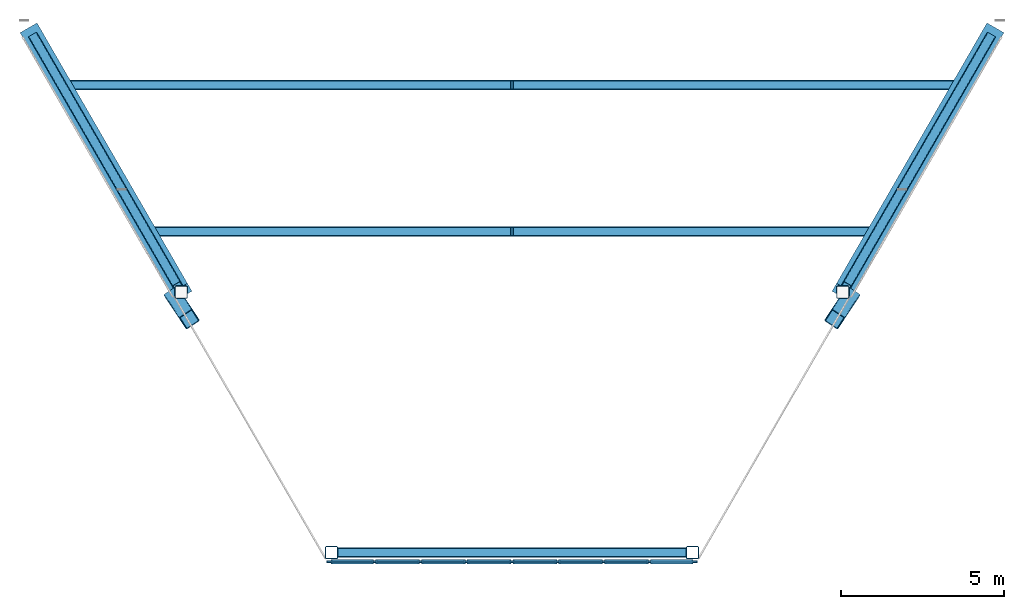
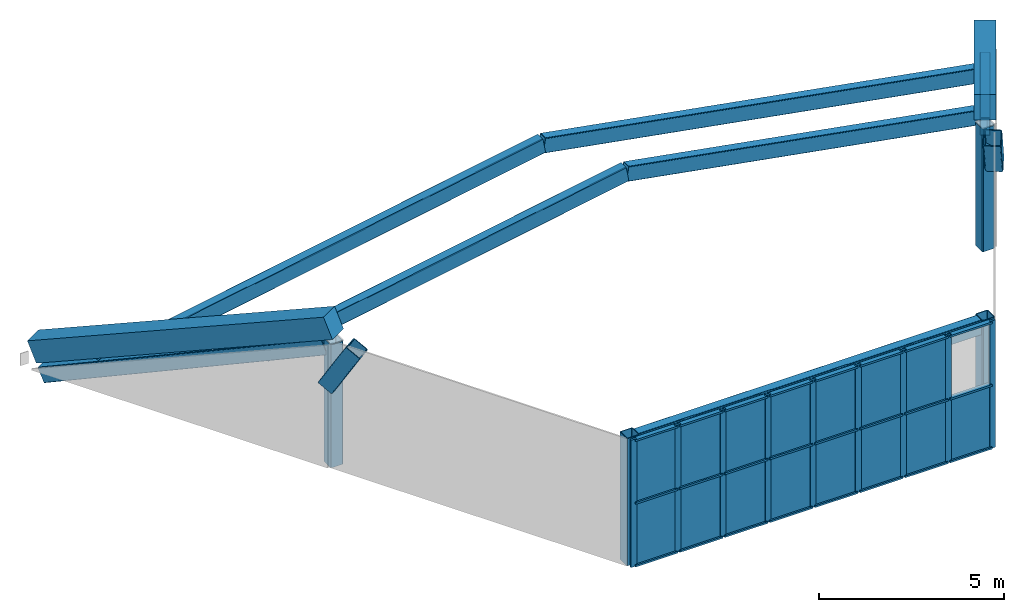
# One storey, part 1 of 4: 41 members, 15 plates, 4 columns, 3 beams, 1 element without a shape of its own.
"""IFC4 building model written with IfcOpenShell, lengths in metres."""

from ifc_helpers import new_model, si_unit, direction, frame, origin, origin_2d, place, context, subcontext, project, spatial, rectangle, hollow_rectangle, extrude, material, layer, layer_set, material_profile, profile_set, type_object, element, aggregate, save


model = new_model("IFC4")

# Units and contexts
model_context = context("Model", 3, precision=1e-05, world=origin(), true_north=direction((0.0, 1.0)))
body_context = subcontext(model_context, "Body", "Model", "MODEL_VIEW")
ifc_project = project(units=[si_unit("LENGTHUNIT", "METRE"), si_unit("AREAUNIT", "SQUARE_METRE"), si_unit("VOLUMEUNIT", "CUBIC_METRE"), si_unit("PLANEANGLEUNIT", "RADIAN"), si_unit("MASSUNIT", "GRAM", prefix="KILO")], contexts=[model_context])

# Site, building, storey
site_placement = place(None, origin())
site = spatial("IfcSite", under=ifc_project, at=site_placement, CompositionType="ELEMENT")
building_placement = place(site_placement, origin())
building = spatial("IfcBuilding", under=site, at=building_placement, Name="Aloe Facet Convention Tower", CompositionType="ELEMENT")
storey_placement = place(building_placement, frame((0.0, 0.0, 298.10009765625)))
storey = spatial("IfcBuildingStorey", under=building, at=storey_placement, Name="C4", CompositionType="ELEMENT", Elevation=298.10009765625)

# Columns
ifc_material_1 = material(Name="Steel S355, bronze oxide finish", Category="steel")
ifc_material_profile_1 = material_profile(ifc_material_1, hollow_rectangle(XDim=0.39990234375, YDim=0.39990234375, WallThickness=0.02490234375, InnerFilletRadius=0.02490234375, OuterFilletRadius=0.050048828125, at=origin_2d()), Name="SHS 400x400x25")
ifc_profile_set_1 = profile_set([ifc_material_profile_1], Name="Steel S355, bronze oxide finish")
column_type = type_object("IfcColumnType", Name="STW-CROWN FRAME POST", PredefinedType="COLUMN", material=ifc_profile_set_1)
column_1_placement = place(storey_placement, frame((69.830078125, 117.185302734375, 0.0), z_axis=(0.0, 0.0, 1.0), x_axis=(1.0, 0.0, 0.0)))
element("IfcColumn", 1, at=column_1_placement, inside=storey, type_object=column_type, Name="Crown frame post CF-P-WSW3-C4", PredefinedType="COLUMN", context=body_context, shape_type="SweptSolid", body=[
    extrude(hollow_rectangle(XDim=0.39990234375, YDim=0.39990234375, WallThickness=0.02490234375, InnerFilletRadius=0.02490234375, OuterFilletRadius=0.050048828125, at=origin_2d()), origin(), (0.0, 0.0, 1.0), 4.05859375),
])
for number, where, z_axis, x_axis, name in (
    (2, (74.45166015625, 109.180419921875, 0.0), (0.0, 0.0, 1.0), (1.0, 0.0, 0.0), "Crown frame post CF-P-WSW4-C4"),
    (3, (85.54833984375, 109.180419921875, 0.0), (0.0, 0.0, 1.0), (1.0, 0.0, 0.0), "Crown frame post CF-P-ESE2-C4"),
):
    element("IfcColumn", number, at=place(storey_placement, frame(where, z_axis=z_axis, x_axis=x_axis)), inside=storey, type_object=column_type, Name=name, PredefinedType="COLUMN", context=body_context, shape_type="SweptSolid", body=[
        extrude(hollow_rectangle(XDim=0.39990234375, YDim=0.39990234375, WallThickness=0.02490234375, InnerFilletRadius=0.02490234375, OuterFilletRadius=0.050048828125, at=origin_2d()), origin(), (0.0, 0.0, 1.0), 4.199951171875),
    ])
column_2_placement = place(storey_placement, frame((90.169921875, 117.185302734375, 0.0), z_axis=(0.0, 0.0, 1.0), x_axis=(1.0, 0.0, 0.0)))
element("IfcColumn", 4, at=column_2_placement, inside=storey, type_object=column_type, Name="Crown frame post CF-P-ESE3-C4", PredefinedType="COLUMN", context=body_context, shape_type="SweptSolid", body=[
    extrude(hollow_rectangle(XDim=0.39990234375, YDim=0.39990234375, WallThickness=0.02490234375, InnerFilletRadius=0.02490234375, OuterFilletRadius=0.050048828125, at=origin_2d()), origin(), (0.0, 0.0, 1.0), 4.05859375),
])

# Curtain wall, members
ifc_material_2 = material(Name="Aluminium, anodised", Category="aluminium")
curtain_wall_type = type_object("IfcCurtainWallType", Name="EV-CW-CROWN", PredefinedType="USERDEFINED", material=ifc_material_2)
curtain_wall_placement = place(storey_placement, origin())
curtain_wall = element("IfcCurtainWall", 5, at=curtain_wall_placement, inside=storey, type_object=curtain_wall_type, Name="CW-C4-Z09", ObjectType="CROWN SCREEN GLAZING", PredefinedType="USERDEFINED")
ifc_material_3 = material(Name="Aluminium, anodised", Category="aluminium")
ifc_material_profile_2 = material_profile(ifc_material_3, rectangle(XDim=0.06005859375, YDim=0.179931640625, at=origin_2d()), Name="AL 60x180")
ifc_profile_set_2 = profile_set([ifc_material_profile_2], Name="Aluminium, anodised")
member_type_1 = type_object("IfcMemberType", Name="EV-MULL-CROWN", PredefinedType="MULLION", material=ifc_profile_set_2)
member_1_placement = place(storey_placement, frame((74.401611328125, 108.890625, 0.0), z_axis=(0.0, 0.0, 1.0), x_axis=(0.0, 1.0, 0.0)))
member_1 = element("IfcMember", 6, at=member_1_placement, type_object=member_type_1, Name="CW-C4-Z09 mullion 1", PredefinedType="MULLION", context=body_context, shape_type="SweptSolid", body=[
    extrude(rectangle(XDim=0.06005859375, YDim=0.179931640625, at=origin_2d()), origin(), (0.0, 0.0, 1.0), 4.199951171875),
])
member_2_placement = place(storey_placement, frame((75.77880859375, 108.890625, 0.0), z_axis=(0.0, 0.0, 1.0), x_axis=(0.0, 1.0, 0.0)))
member_2 = element("IfcMember", 7, at=member_2_placement, type_object=member_type_1, Name="CW-C4-Z09 mullion 2", PredefinedType="MULLION", context=body_context, shape_type="SweptSolid", body=[
    extrude(rectangle(XDim=0.06005859375, YDim=0.179931640625, at=origin_2d()), origin(), (0.0, 0.0, 1.0), 4.199951171875),
])
member_3_placement = place(storey_placement, frame((77.185791015625, 108.890625, 0.0), z_axis=(0.0, 0.0, 1.0), x_axis=(0.0, 1.0, 0.0)))
member_3 = element("IfcMember", 8, at=member_3_placement, type_object=member_type_1, Name="CW-C4-Z09 mullion 3", PredefinedType="MULLION", context=body_context, shape_type="SweptSolid", body=[
    extrude(rectangle(XDim=0.06005859375, YDim=0.179931640625, at=origin_2d()), origin(), (0.0, 0.0, 1.0), 4.199951171875),
])
member_4_placement = place(storey_placement, frame((78.593017578125, 108.890625, 0.0), z_axis=(0.0, 0.0, 1.0), x_axis=(0.0, 1.0, 0.0)))
member_4 = element("IfcMember", 9, at=member_4_placement, type_object=member_type_1, Name="CW-C4-Z09 mullion 4", PredefinedType="MULLION", context=body_context, shape_type="SweptSolid", body=[
    extrude(rectangle(XDim=0.06005859375, YDim=0.179931640625, at=origin_2d()), origin(), (0.0, 0.0, 1.0), 4.199951171875),
])
member_5_placement = place(storey_placement, frame((80.0, 108.890625, 0.0), z_axis=(0.0, 0.0, 1.0), x_axis=(0.0, 1.0, 0.0)))
member_5 = element("IfcMember", 10, at=member_5_placement, type_object=member_type_1, Name="CW-C4-Z09 mullion 5", PredefinedType="MULLION", context=body_context, shape_type="SweptSolid", body=[
    extrude(rectangle(XDim=0.06005859375, YDim=0.179931640625, at=origin_2d()), origin(), (0.0, 0.0, 1.0), 4.199951171875),
])
member_6_placement = place(storey_placement, frame((81.406982421875, 108.890625, 0.0), z_axis=(0.0, 0.0, 1.0), x_axis=(0.0, 1.0, 0.0)))
member_6 = element("IfcMember", 11, at=member_6_placement, type_object=member_type_1, Name="CW-C4-Z09 mullion 6", PredefinedType="MULLION", context=body_context, shape_type="SweptSolid", body=[
    extrude(rectangle(XDim=0.06005859375, YDim=0.179931640625, at=origin_2d()), origin(), (0.0, 0.0, 1.0), 4.199951171875),
])
member_7_placement = place(storey_placement, frame((82.814208984375, 108.890625, 0.0), z_axis=(0.0, 0.0, 1.0), x_axis=(0.0, 1.0, 0.0)))
member_7 = element("IfcMember", 12, at=member_7_placement, type_object=member_type_1, Name="CW-C4-Z09 mullion 7", PredefinedType="MULLION", context=body_context, shape_type="SweptSolid", body=[
    extrude(rectangle(XDim=0.06005859375, YDim=0.179931640625, at=origin_2d()), origin(), (0.0, 0.0, 1.0), 4.199951171875),
])
member_8_placement = place(storey_placement, frame((84.22119140625, 108.890625, 0.0), z_axis=(0.0, 0.0, 1.0), x_axis=(0.0, 1.0, 0.0)))
member_8 = element("IfcMember", 13, at=member_8_placement, type_object=member_type_1, Name="CW-C4-Z09 mullion 8", PredefinedType="MULLION", context=body_context, shape_type="SweptSolid", body=[
    extrude(rectangle(XDim=0.06005859375, YDim=0.179931640625, at=origin_2d()), origin(), (0.0, 0.0, 1.0), 4.199951171875),
])
member_9_placement = place(storey_placement, frame((85.598388671875, 108.890625, 0.0), z_axis=(0.0, 0.0, 1.0), x_axis=(0.0, 1.0, 0.0)))
member_9 = element("IfcMember", 14, at=member_9_placement, type_object=member_type_1, Name="CW-C4-Z09 mullion 9", PredefinedType="MULLION", context=body_context, shape_type="SweptSolid", body=[
    extrude(rectangle(XDim=0.06005859375, YDim=0.179931640625, at=origin_2d()), origin(), (0.0, 0.0, 1.0), 4.199951171875),
])
ifc_material_4 = material(Name="Aluminium, anodised", Category="aluminium")
ifc_material_profile_3 = material_profile(ifc_material_4, rectangle(XDim=0.139892578125, YDim=0.06005859375, at=origin_2d()), Name="AL 140x60")
ifc_profile_set_3 = profile_set([ifc_material_profile_3], Name="Aluminium, anodised")
member_type_2 = type_object("IfcMemberType", Name="EV-TRAN-CROWN", PredefinedType="USERDEFINED", material=ifc_profile_set_3)
member_10_placement = place(storey_placement, frame((74.431640625, 108.890625, 0.02978515625), z_axis=(1.0, 0.0, 0.0), x_axis=(0.0, 1.0, 0.0)))
member_10 = element("IfcMember", 15, at=member_10_placement, type_object=member_type_2, Name="CW-C4-Z09 transom 1.1", ObjectType="TRANSOM", PredefinedType="USERDEFINED", context=body_context, shape_type="SweptSolid", body=[
    extrude(rectangle(XDim=0.139892578125, YDim=0.06005859375, at=origin_2d()), origin(), (0.0, 0.0, 1.0), 1.317138671875),
])
member_11_placement = place(storey_placement, frame((74.431640625, 108.890625, 2.099853515625), z_axis=(1.0, 0.0, 0.0), x_axis=(0.0, 1.0, 0.0)))
member_11 = element("IfcMember", 16, at=member_11_placement, type_object=member_type_2, Name="CW-C4-Z09 transom 1.2", ObjectType="TRANSOM", PredefinedType="USERDEFINED", context=body_context, shape_type="SweptSolid", body=[
    extrude(rectangle(XDim=0.139892578125, YDim=0.06005859375, at=origin_2d()), origin(), (0.0, 0.0, 1.0), 1.317138671875),
])
member_12_placement = place(storey_placement, frame((74.431640625, 108.890625, 4.169921875), z_axis=(1.0, 0.0, 0.0), x_axis=(0.0, 1.0, 0.0)))
member_12 = element("IfcMember", 17, at=member_12_placement, type_object=member_type_2, Name="CW-C4-Z09 transom 1.3", ObjectType="TRANSOM", PredefinedType="USERDEFINED", context=body_context, shape_type="SweptSolid", body=[
    extrude(rectangle(XDim=0.139892578125, YDim=0.06005859375, at=origin_2d()), origin(), (0.0, 0.0, 1.0), 1.317138671875),
])
member_13_placement = place(storey_placement, frame((75.808837890625, 108.890625, 0.02978515625), z_axis=(1.0, 0.0, 0.0), x_axis=(0.0, 1.0, 0.0)))
member_13 = element("IfcMember", 18, at=member_13_placement, type_object=member_type_2, Name="CW-C4-Z09 transom 2.1", ObjectType="TRANSOM", PredefinedType="USERDEFINED", context=body_context, shape_type="SweptSolid", body=[
    extrude(rectangle(XDim=0.139892578125, YDim=0.06005859375, at=origin_2d()), origin(), (0.0, 0.0, 1.0), 1.346923828125),
])
member_14_placement = place(storey_placement, frame((75.808837890625, 108.890625, 2.099853515625), z_axis=(1.0, 0.0, 0.0), x_axis=(0.0, 1.0, 0.0)))
member_14 = element("IfcMember", 19, at=member_14_placement, type_object=member_type_2, Name="CW-C4-Z09 transom 2.2", ObjectType="TRANSOM", PredefinedType="USERDEFINED", context=body_context, shape_type="SweptSolid", body=[
    extrude(rectangle(XDim=0.139892578125, YDim=0.06005859375, at=origin_2d()), origin(), (0.0, 0.0, 1.0), 1.346923828125),
])
member_15_placement = place(storey_placement, frame((75.808837890625, 108.890625, 4.169921875), z_axis=(1.0, 0.0, 0.0), x_axis=(0.0, 1.0, 0.0)))
member_15 = element("IfcMember", 20, at=member_15_placement, type_object=member_type_2, Name="CW-C4-Z09 transom 2.3", ObjectType="TRANSOM", PredefinedType="USERDEFINED", context=body_context, shape_type="SweptSolid", body=[
    extrude(rectangle(XDim=0.139892578125, YDim=0.06005859375, at=origin_2d()), origin(), (0.0, 0.0, 1.0), 1.346923828125),
])
member_16_placement = place(storey_placement, frame((77.2158203125, 108.890625, 0.02978515625), z_axis=(1.0, 0.0, 0.0), x_axis=(0.0, 1.0, 0.0)))
member_16 = element("IfcMember", 21, at=member_16_placement, type_object=member_type_2, Name="CW-C4-Z09 transom 3.1", ObjectType="TRANSOM", PredefinedType="USERDEFINED", context=body_context, shape_type="SweptSolid", body=[
    extrude(rectangle(XDim=0.139892578125, YDim=0.06005859375, at=origin_2d()), origin(), (0.0, 0.0, 1.0), 1.34716796875),
])
member_17_placement = place(storey_placement, frame((77.2158203125, 108.890625, 2.099853515625), z_axis=(1.0, 0.0, 0.0), x_axis=(0.0, 1.0, 0.0)))
member_17 = element("IfcMember", 22, at=member_17_placement, type_object=member_type_2, Name="CW-C4-Z09 transom 3.2", ObjectType="TRANSOM", PredefinedType="USERDEFINED", context=body_context, shape_type="SweptSolid", body=[
    extrude(rectangle(XDim=0.139892578125, YDim=0.06005859375, at=origin_2d()), origin(), (0.0, 0.0, 1.0), 1.34716796875),
])
member_18_placement = place(storey_placement, frame((77.2158203125, 108.890625, 4.169921875), z_axis=(1.0, 0.0, 0.0), x_axis=(0.0, 1.0, 0.0)))
member_18 = element("IfcMember", 23, at=member_18_placement, type_object=member_type_2, Name="CW-C4-Z09 transom 3.3", ObjectType="TRANSOM", PredefinedType="USERDEFINED", context=body_context, shape_type="SweptSolid", body=[
    extrude(rectangle(XDim=0.139892578125, YDim=0.06005859375, at=origin_2d()), origin(), (0.0, 0.0, 1.0), 1.34716796875),
])
member_19_placement = place(storey_placement, frame((78.622802734375, 108.890625, 0.02978515625), z_axis=(1.0, 0.0, 0.0), x_axis=(0.0, 1.0, 0.0)))
member_19 = element("IfcMember", 24, at=member_19_placement, type_object=member_type_2, Name="CW-C4-Z09 transom 4.1", ObjectType="TRANSOM", PredefinedType="USERDEFINED", context=body_context, shape_type="SweptSolid", body=[
    extrude(rectangle(XDim=0.139892578125, YDim=0.06005859375, at=origin_2d()), origin(), (0.0, 0.0, 1.0), 1.34716796875),
])
member_20_placement = place(storey_placement, frame((78.622802734375, 108.890625, 2.099853515625), z_axis=(1.0, 0.0, 0.0), x_axis=(0.0, 1.0, 0.0)))
member_20 = element("IfcMember", 25, at=member_20_placement, type_object=member_type_2, Name="CW-C4-Z09 transom 4.2", ObjectType="TRANSOM", PredefinedType="USERDEFINED", context=body_context, shape_type="SweptSolid", body=[
    extrude(rectangle(XDim=0.139892578125, YDim=0.06005859375, at=origin_2d()), origin(), (0.0, 0.0, 1.0), 1.34716796875),
])
member_21_placement = place(storey_placement, frame((78.622802734375, 108.890625, 4.169921875), z_axis=(1.0, 0.0, 0.0), x_axis=(0.0, 1.0, 0.0)))
member_21 = element("IfcMember", 26, at=member_21_placement, type_object=member_type_2, Name="CW-C4-Z09 transom 4.3", ObjectType="TRANSOM", PredefinedType="USERDEFINED", context=body_context, shape_type="SweptSolid", body=[
    extrude(rectangle(XDim=0.139892578125, YDim=0.06005859375, at=origin_2d()), origin(), (0.0, 0.0, 1.0), 1.34716796875),
])
member_22_placement = place(storey_placement, frame((80.030029296875, 108.890625, 0.02978515625), z_axis=(1.0, 0.0, 0.0), x_axis=(0.0, 1.0, 0.0)))
member_22 = element("IfcMember", 27, at=member_22_placement, type_object=member_type_2, Name="CW-C4-Z09 transom 5.1", ObjectType="TRANSOM", PredefinedType="USERDEFINED", context=body_context, shape_type="SweptSolid", body=[
    extrude(rectangle(XDim=0.139892578125, YDim=0.06005859375, at=origin_2d()), origin(), (0.0, 0.0, 1.0), 1.34716796875),
])
member_23_placement = place(storey_placement, frame((80.030029296875, 108.890625, 2.099853515625), z_axis=(1.0, 0.0, 0.0), x_axis=(0.0, 1.0, 0.0)))
member_23 = element("IfcMember", 28, at=member_23_placement, type_object=member_type_2, Name="CW-C4-Z09 transom 5.2", ObjectType="TRANSOM", PredefinedType="USERDEFINED", context=body_context, shape_type="SweptSolid", body=[
    extrude(rectangle(XDim=0.139892578125, YDim=0.06005859375, at=origin_2d()), origin(), (0.0, 0.0, 1.0), 1.34716796875),
])
member_24_placement = place(storey_placement, frame((80.030029296875, 108.890625, 4.169921875), z_axis=(1.0, 0.0, 0.0), x_axis=(0.0, 1.0, 0.0)))
member_24 = element("IfcMember", 29, at=member_24_placement, type_object=member_type_2, Name="CW-C4-Z09 transom 5.3", ObjectType="TRANSOM", PredefinedType="USERDEFINED", context=body_context, shape_type="SweptSolid", body=[
    extrude(rectangle(XDim=0.139892578125, YDim=0.06005859375, at=origin_2d()), origin(), (0.0, 0.0, 1.0), 1.34716796875),
])
member_25_placement = place(storey_placement, frame((81.43701171875, 108.890625, 0.02978515625), z_axis=(1.0, 0.0, 0.0), x_axis=(0.0, 1.0, 0.0)))
member_25 = element("IfcMember", 30, at=member_25_placement, type_object=member_type_2, Name="CW-C4-Z09 transom 6.1", ObjectType="TRANSOM", PredefinedType="USERDEFINED", context=body_context, shape_type="SweptSolid", body=[
    extrude(rectangle(XDim=0.139892578125, YDim=0.06005859375, at=origin_2d()), origin(), (0.0, 0.0, 1.0), 1.34716796875),
])
member_26_placement = place(storey_placement, frame((81.43701171875, 108.890625, 2.099853515625), z_axis=(1.0, 0.0, 0.0), x_axis=(0.0, 1.0, 0.0)))
member_26 = element("IfcMember", 31, at=member_26_placement, type_object=member_type_2, Name="CW-C4-Z09 transom 6.2", ObjectType="TRANSOM", PredefinedType="USERDEFINED", context=body_context, shape_type="SweptSolid", body=[
    extrude(rectangle(XDim=0.139892578125, YDim=0.06005859375, at=origin_2d()), origin(), (0.0, 0.0, 1.0), 1.34716796875),
])
member_27_placement = place(storey_placement, frame((81.43701171875, 108.890625, 4.169921875), z_axis=(1.0, 0.0, 0.0), x_axis=(0.0, 1.0, 0.0)))
member_27 = element("IfcMember", 32, at=member_27_placement, type_object=member_type_2, Name="CW-C4-Z09 transom 6.3", ObjectType="TRANSOM", PredefinedType="USERDEFINED", context=body_context, shape_type="SweptSolid", body=[
    extrude(rectangle(XDim=0.139892578125, YDim=0.06005859375, at=origin_2d()), origin(), (0.0, 0.0, 1.0), 1.34716796875),
])
member_28_placement = place(storey_placement, frame((82.84423828125, 108.890625, 0.02978515625), z_axis=(1.0, 0.0, 0.0), x_axis=(0.0, 1.0, 0.0)))
member_28 = element("IfcMember", 33, at=member_28_placement, type_object=member_type_2, Name="CW-C4-Z09 transom 7.1", ObjectType="TRANSOM", PredefinedType="USERDEFINED", context=body_context, shape_type="SweptSolid", body=[
    extrude(rectangle(XDim=0.139892578125, YDim=0.06005859375, at=origin_2d()), origin(), (0.0, 0.0, 1.0), 1.346923828125),
])
member_29_placement = place(storey_placement, frame((82.84423828125, 108.890625, 2.099853515625), z_axis=(1.0, 0.0, 0.0), x_axis=(0.0, 1.0, 0.0)))
member_29 = element("IfcMember", 34, at=member_29_placement, type_object=member_type_2, Name="CW-C4-Z09 transom 7.2", ObjectType="TRANSOM", PredefinedType="USERDEFINED", context=body_context, shape_type="SweptSolid", body=[
    extrude(rectangle(XDim=0.139892578125, YDim=0.06005859375, at=origin_2d()), origin(), (0.0, 0.0, 1.0), 1.346923828125),
])
member_30_placement = place(storey_placement, frame((82.84423828125, 108.890625, 4.169921875), z_axis=(1.0, 0.0, 0.0), x_axis=(0.0, 1.0, 0.0)))
member_30 = element("IfcMember", 35, at=member_30_placement, type_object=member_type_2, Name="CW-C4-Z09 transom 7.3", ObjectType="TRANSOM", PredefinedType="USERDEFINED", context=body_context, shape_type="SweptSolid", body=[
    extrude(rectangle(XDim=0.139892578125, YDim=0.06005859375, at=origin_2d()), origin(), (0.0, 0.0, 1.0), 1.346923828125),
])
member_31_placement = place(storey_placement, frame((84.251220703125, 108.890625, 0.02978515625), z_axis=(1.0, 0.0, 0.0), x_axis=(0.0, 1.0, 0.0)))
member_31 = element("IfcMember", 36, at=member_31_placement, type_object=member_type_2, Name="CW-C4-Z09 transom 8.1", ObjectType="TRANSOM", PredefinedType="USERDEFINED", context=body_context, shape_type="SweptSolid", body=[
    extrude(rectangle(XDim=0.139892578125, YDim=0.06005859375, at=origin_2d()), origin(), (0.0, 0.0, 1.0), 1.317138671875),
])
member_32_placement = place(storey_placement, frame((84.251220703125, 108.890625, 2.099853515625), z_axis=(1.0, 0.0, 0.0), x_axis=(0.0, 1.0, 0.0)))
member_32 = element("IfcMember", 37, at=member_32_placement, type_object=member_type_2, Name="CW-C4-Z09 transom 8.2", ObjectType="TRANSOM", PredefinedType="USERDEFINED", context=body_context, shape_type="SweptSolid", body=[
    extrude(rectangle(XDim=0.139892578125, YDim=0.06005859375, at=origin_2d()), origin(), (0.0, 0.0, 1.0), 1.317138671875),
])
member_33_placement = place(storey_placement, frame((84.251220703125, 108.890625, 4.169921875), z_axis=(1.0, 0.0, 0.0), x_axis=(0.0, 1.0, 0.0)))
member_33 = element("IfcMember", 38, at=member_33_placement, type_object=member_type_2, Name="CW-C4-Z09 transom 8.3", ObjectType="TRANSOM", PredefinedType="USERDEFINED", context=body_context, shape_type="SweptSolid", body=[
    extrude(rectangle(XDim=0.139892578125, YDim=0.06005859375, at=origin_2d()), origin(), (0.0, 0.0, 1.0), 1.317138671875),
])

# Members
ifc_material_5 = material(Name="Steel S355, bronze oxide finish", Category="steel")
ifc_material_profile_4 = material_profile(ifc_material_5, hollow_rectangle(XDim=0.5, YDim=0.5, WallThickness=0.02490234375, InnerFilletRadius=0.02490234375, OuterFilletRadius=0.050048828125, at=origin_2d()), Name="SHS 500x500x25")
ifc_profile_set_4 = profile_set([ifc_material_profile_4], Name="Steel S355, bronze oxide finish")
member_type_3 = type_object("IfcMemberType", Name="STW-CROWN FRAME BRACE", PredefinedType="BRACE", material=ifc_profile_set_4)
for number, where, z_axis, x_axis, name in (
    (39, (69.613525390625, 117.060302734375, 2.75), (0.280931440718, -0.426256038196, 0.859874011421), (0.834967240255, 0.550299652645, 0.0), "Crown frame brace CF-B-B08-N5"),
    (40, (90.386474609375, 117.060302734375, 2.75), (-0.280931440718, -0.426256038196, 0.859874011421), (0.834967240255, -0.550299652645, 0.0), "Crown frame brace CF-B-B10-N6"),
):
    element("IfcMember", number, at=place(storey_placement, frame(where, z_axis=z_axis, x_axis=x_axis)), inside=storey, type_object=member_type_3, Name=name, PredefinedType="BRACE", context=body_context, shape_type="SweptSolid", body=[
        extrude(hollow_rectangle(XDim=0.5, YDim=0.5, WallThickness=0.02490234375, InnerFilletRadius=0.02490234375, OuterFilletRadius=0.050048828125, at=origin_2d()), origin(), (0.0, 0.0, 1.0), 1.658203125),
    ])

# Beams
ifc_material_6 = material(Name="Steel S355, bronze oxide finish", Category="steel")
ifc_material_profile_5 = material_profile(ifc_material_6, hollow_rectangle(XDim=0.300048828125, YDim=0.5, WallThickness=0.02001953125, InnerFilletRadius=0.02001953125, OuterFilletRadius=0.0400390625, at=origin_2d()), Name="RHS 500x300x20")
ifc_profile_set_5 = profile_set([ifc_material_profile_5], Name="Steel S355, bronze oxide finish")
beam_type_1 = type_object("IfcBeamType", Name="STW-CROWN FRAME CAP", PredefinedType="BEAM", material=ifc_profile_set_5)
for number, where, z_axis, x_axis, name in (
    (41, (65.30859375, 125.016845703125, -0.208740234375), (0.45522997345, -0.788477115408, 0.413605500145), (0.866024215439, 0.500002058268, 0.0), "Crown frame cap CF-C-B07"),
    (42, (90.269775390625, 117.3583984375, 3.80859375), (0.45522997345, 0.788477115408, -0.413605500145), (-0.866024215439, 0.500002058268, 0.0), "Crown frame cap CF-C-B11"),
):
    element("IfcBeam", number, at=place(storey_placement, frame(where, z_axis=z_axis, x_axis=x_axis)), inside=storey, type_object=beam_type_1, Name=name, PredefinedType="BEAM", context=body_context, shape_type="SweptSolid", body=[
        extrude(hollow_rectangle(XDim=0.300048828125, YDim=0.5, WallThickness=0.02001953125, InnerFilletRadius=0.02001953125, OuterFilletRadius=0.0400390625, at=origin_2d()), origin(), (0.0, 0.0, 1.0), 9.712890625),
    ])

# Members
ifc_material_7 = material(Name="Steel S355", Category="steel")
ifc_material_profile_6 = material_profile(ifc_material_7, hollow_rectangle(XDim=0.300048828125, YDim=0.5, WallThickness=0.02001953125, InnerFilletRadius=0.02001953125, OuterFilletRadius=0.0400390625, at=origin_2d()), Name="RHS 500x300x20")
ifc_profile_set_6 = profile_set([ifc_material_profile_6], Name="Steel S355")
member_type_4 = type_object("IfcMemberType", Name="STW-CROWN FRAME RAFTER", PredefinedType="RAFTER", material=ifc_profile_set_6)
for number, where, z_axis, x_axis, name in (
    (43, (80.0, 123.550048828125, 3.1064453125), (-0.984181084686, 0.0, -0.177165438349), (0.0, -1.0, 0.0), "Crown frame rafter CF-RF-W05"),
    (44, (80.0, 123.550048828125, 3.1064453125), (0.984181084686, 0.0, -0.177165438349), (0.0, 1.0, 0.0), "Crown frame rafter CF-RF-E06"),
):
    element("IfcMember", number, at=place(storey_placement, frame(where, z_axis=z_axis, x_axis=x_axis)), inside=storey, type_object=member_type_4, Name=name, PredefinedType="RAFTER", context=body_context, shape_type="SweptSolid", body=[
        extrude(hollow_rectangle(XDim=0.300048828125, YDim=0.5, WallThickness=0.02001953125, InnerFilletRadius=0.02001953125, OuterFilletRadius=0.0400390625, at=origin_2d()), origin(), (0.0, 0.0, 1.0), 14.06689453125),
    ])
for number, where, z_axis, x_axis, name in (
    (45, (80.0, 119.050048828125, 4.897216796875), (-0.984182876977, 0.0, -0.177155481611), (0.0, -1.0, 0.0), "Crown frame rafter CF-RF-W07"),
    (46, (80.0, 119.050048828125, 4.897216796875), (0.984182876977, 0.0, -0.177155481611), (0.0, 1.0, 0.0), "Crown frame rafter CF-RF-E08"),
):
    element("IfcMember", number, at=place(storey_placement, frame(where, z_axis=z_axis, x_axis=x_axis)), inside=storey, type_object=member_type_4, Name=name, PredefinedType="RAFTER", context=body_context, shape_type="SweptSolid", body=[
        extrude(hollow_rectangle(XDim=0.300048828125, YDim=0.5, WallThickness=0.02001953125, InnerFilletRadius=0.02001953125, OuterFilletRadius=0.0400390625, at=origin_2d()), origin(), (0.0, 0.0, 1.0), 11.42724609375),
    ])

# Beam
ifc_material_8 = material(Name="Steel S355, bronze oxide finish", Category="steel")
ifc_material_profile_7 = material_profile(ifc_material_8, hollow_rectangle(XDim=0.300048828125, YDim=0.5, WallThickness=0.02001953125, InnerFilletRadius=0.02001953125, OuterFilletRadius=0.0400390625, at=origin_2d()), Name="RHS 500x300x20")
ifc_profile_set_7 = profile_set([ifc_material_profile_7], Name="Steel S355, bronze oxide finish")
beam_type_2 = type_object("IfcBeamType", Name="STW-CROWN FRAME RING", PredefinedType="BEAM", material=ifc_profile_set_7)
beam_placement = place(storey_placement, frame((74.651611328125, 109.180419921875, 3.949951171875), z_axis=(1.0, 0.0, 0.0), x_axis=(0.0, 1.0, 0.0)))
element("IfcBeam", 47, at=beam_placement, inside=storey, type_object=beam_type_2, Name="Crown frame ring CF-R-B09-C5", PredefinedType="BEAM", context=body_context, shape_type="SweptSolid", body=[
    extrude(hollow_rectangle(XDim=0.300048828125, YDim=0.5, WallThickness=0.02001953125, InnerFilletRadius=0.02001953125, OuterFilletRadius=0.0400390625, at=origin_2d()), origin(), (0.0, 0.0, 1.0), 10.69677734375),
])

# Members
ifc_material_9 = material(Name="Precast concrete C40/50", Category="concrete")
ifc_material_profile_8 = material_profile(ifc_material_9, rectangle(XDim=0.60009765625, YDim=0.699951171875, at=origin_2d()), Name="STW-CROWN STONE CAP")
ifc_profile_set_8 = profile_set([ifc_material_profile_8], Name="Precast concrete C40/50")
member_type_5 = type_object("IfcMemberType", Name="STW-CROWN STONE CAP", PredefinedType="MEMBER", material=ifc_profile_set_8)
for number, where, z_axis, x_axis, name in (
    (48, (65.20849609375, 125.18994140625, 0.583251953125), (0.45856738799, -0.794244529849, 0.398612063887), (0.866020637506, 0.500008255345, 0.0), "Crown stone cap CF-SC-B07"),
    (49, (90.169921875, 117.185302734375, 4.6005859375), (0.45856738799, 0.794244529849, -0.398612063887), (-0.866020637506, 0.500008255345, 0.0), "Crown stone cap CF-SC-B11"),
):
    element("IfcMember", number, at=place(storey_placement, frame(where, z_axis=z_axis, x_axis=x_axis)), inside=storey, type_object=member_type_5, Name=name, PredefinedType="MEMBER", context=body_context, shape_type="SweptSolid", body=[
        extrude(rectangle(XDim=0.60009765625, YDim=0.699951171875, at=origin_2d()), origin(), (0.0, 0.0, 1.0), 10.078369140625),
    ])

# Plate
ifc_material_10 = material(Name="Clear double glazing", Category="glass")
ifc_layer = layer(ifc_material_10, 0.031982421875)
ifc_layer_set = layer_set([ifc_layer], Name="EV-PANEL-CROWN")
plate_type = type_object("IfcPlateType", Name="EV-PANEL-CROWN", PredefinedType="CURTAIN_PANEL", material=ifc_layer_set)
plate_1_placement = place(storey_placement, frame((75.090087890625, 108.890625, 0.06005859375), z_axis=(0.0, 0.0, 1.0), x_axis=(1.0, 0.0, 0.0)))
plate_1 = element("IfcPlate", 50, at=plate_1_placement, type_object=plate_type, Name="CW-C4-Z09 panel 1.1", PredefinedType="CURTAIN_PANEL", context=body_context, shape_type="SweptSolid", body=[
    extrude(rectangle(XDim=1.317138671875, YDim=0.031982421875, at=origin_2d()), origin(), (0.0, 0.0, 1.0), 2.010009765625),
])

plate_2_placement = place(storey_placement, frame((75.090087890625, 108.890625, 2.1298828125), z_axis=(0.0, 0.0, 1.0), x_axis=(1.0, 0.0, 0.0)))
plate_2 = element("IfcPlate", 51, at=plate_2_placement, type_object=plate_type, Name="CW-C4-Z09 panel 1.2", PredefinedType="CURTAIN_PANEL", context=body_context, shape_type="SweptSolid", body=[
    extrude(rectangle(XDim=1.317138671875, YDim=0.031982421875, at=origin_2d()), origin(), (0.0, 0.0, 1.0), 2.010009765625),
])

plate_3_placement = place(storey_placement, frame((76.482177734375, 108.890625, 0.06005859375), z_axis=(0.0, 0.0, 1.0), x_axis=(1.0, 0.0, 0.0)))
plate_3 = element("IfcPlate", 52, at=plate_3_placement, type_object=plate_type, Name="CW-C4-Z09 panel 2.1", PredefinedType="CURTAIN_PANEL", context=body_context, shape_type="SweptSolid", body=[
    extrude(rectangle(XDim=1.34716796875, YDim=0.031982421875, at=origin_2d()), origin(), (0.0, 0.0, 1.0), 2.010009765625),
])

plate_4_placement = place(storey_placement, frame((76.482177734375, 108.890625, 2.1298828125), z_axis=(0.0, 0.0, 1.0), x_axis=(1.0, 0.0, 0.0)))
plate_4 = element("IfcPlate", 53, at=plate_4_placement, type_object=plate_type, Name="CW-C4-Z09 panel 2.2", PredefinedType="CURTAIN_PANEL", context=body_context, shape_type="SweptSolid", body=[
    extrude(rectangle(XDim=1.34716796875, YDim=0.031982421875, at=origin_2d()), origin(), (0.0, 0.0, 1.0), 2.010009765625),
])

plate_5_placement = place(storey_placement, frame((77.889404296875, 108.890625, 0.06005859375), z_axis=(0.0, 0.0, 1.0), x_axis=(1.0, 0.0, 0.0)))
plate_5 = element("IfcPlate", 54, at=plate_5_placement, type_object=plate_type, Name="CW-C4-Z09 panel 3.1", PredefinedType="CURTAIN_PANEL", context=body_context, shape_type="SweptSolid", body=[
    extrude(rectangle(XDim=1.34716796875, YDim=0.031982421875, at=origin_2d()), origin(), (0.0, 0.0, 1.0), 2.010009765625),
])

plate_6_placement = place(storey_placement, frame((77.889404296875, 108.890625, 2.1298828125), z_axis=(0.0, 0.0, 1.0), x_axis=(1.0, 0.0, 0.0)))
plate_6 = element("IfcPlate", 55, at=plate_6_placement, type_object=plate_type, Name="CW-C4-Z09 panel 3.2", PredefinedType="CURTAIN_PANEL", context=body_context, shape_type="SweptSolid", body=[
    extrude(rectangle(XDim=1.34716796875, YDim=0.031982421875, at=origin_2d()), origin(), (0.0, 0.0, 1.0), 2.010009765625),
])

plate_7_placement = place(storey_placement, frame((79.29638671875, 108.890625, 0.06005859375), z_axis=(0.0, 0.0, 1.0), x_axis=(1.0, 0.0, 0.0)))
plate_7 = element("IfcPlate", 56, at=plate_7_placement, type_object=plate_type, Name="CW-C4-Z09 panel 4.1", PredefinedType="CURTAIN_PANEL", context=body_context, shape_type="SweptSolid", body=[
    extrude(rectangle(XDim=1.34716796875, YDim=0.031982421875, at=origin_2d()), origin(), (0.0, 0.0, 1.0), 2.010009765625),
])

plate_8_placement = place(storey_placement, frame((79.29638671875, 108.890625, 2.1298828125), z_axis=(0.0, 0.0, 1.0), x_axis=(1.0, 0.0, 0.0)))
plate_8 = element("IfcPlate", 57, at=plate_8_placement, type_object=plate_type, Name="CW-C4-Z09 panel 4.2", PredefinedType="CURTAIN_PANEL", context=body_context, shape_type="SweptSolid", body=[
    extrude(rectangle(XDim=1.34716796875, YDim=0.031982421875, at=origin_2d()), origin(), (0.0, 0.0, 1.0), 2.010009765625),
])

plate_9_placement = place(storey_placement, frame((80.70361328125, 108.890625, 0.06005859375), z_axis=(0.0, 0.0, 1.0), x_axis=(1.0, 0.0, 0.0)))
plate_9 = element("IfcPlate", 58, at=plate_9_placement, type_object=plate_type, Name="CW-C4-Z09 panel 5.1", PredefinedType="CURTAIN_PANEL", context=body_context, shape_type="SweptSolid", body=[
    extrude(rectangle(XDim=1.34716796875, YDim=0.031982421875, at=origin_2d()), origin(), (0.0, 0.0, 1.0), 2.010009765625),
])

plate_10_placement = place(storey_placement, frame((80.70361328125, 108.890625, 2.1298828125), z_axis=(0.0, 0.0, 1.0), x_axis=(1.0, 0.0, 0.0)))
plate_10 = element("IfcPlate", 59, at=plate_10_placement, type_object=plate_type, Name="CW-C4-Z09 panel 5.2", PredefinedType="CURTAIN_PANEL", context=body_context, shape_type="SweptSolid", body=[
    extrude(rectangle(XDim=1.34716796875, YDim=0.031982421875, at=origin_2d()), origin(), (0.0, 0.0, 1.0), 2.010009765625),
])

plate_11_placement = place(storey_placement, frame((82.110595703125, 108.890625, 0.06005859375), z_axis=(0.0, 0.0, 1.0), x_axis=(1.0, 0.0, 0.0)))
plate_11 = element("IfcPlate", 60, at=plate_11_placement, type_object=plate_type, Name="CW-C4-Z09 panel 6.1", PredefinedType="CURTAIN_PANEL", context=body_context, shape_type="SweptSolid", body=[
    extrude(rectangle(XDim=1.34716796875, YDim=0.031982421875, at=origin_2d()), origin(), (0.0, 0.0, 1.0), 2.010009765625),
])

plate_12_placement = place(storey_placement, frame((82.110595703125, 108.890625, 2.1298828125), z_axis=(0.0, 0.0, 1.0), x_axis=(1.0, 0.0, 0.0)))
plate_12 = element("IfcPlate", 61, at=plate_12_placement, type_object=plate_type, Name="CW-C4-Z09 panel 6.2", PredefinedType="CURTAIN_PANEL", context=body_context, shape_type="SweptSolid", body=[
    extrude(rectangle(XDim=1.34716796875, YDim=0.031982421875, at=origin_2d()), origin(), (0.0, 0.0, 1.0), 2.010009765625),
])

plate_13_placement = place(storey_placement, frame((83.517822265625, 108.890625, 0.06005859375), z_axis=(0.0, 0.0, 1.0), x_axis=(1.0, 0.0, 0.0)))
plate_13 = element("IfcPlate", 62, at=plate_13_placement, type_object=plate_type, Name="CW-C4-Z09 panel 7.1", PredefinedType="CURTAIN_PANEL", context=body_context, shape_type="SweptSolid", body=[
    extrude(rectangle(XDim=1.34716796875, YDim=0.031982421875, at=origin_2d()), origin(), (0.0, 0.0, 1.0), 2.010009765625),
])

plate_14_placement = place(storey_placement, frame((83.517822265625, 108.890625, 2.1298828125), z_axis=(0.0, 0.0, 1.0), x_axis=(1.0, 0.0, 0.0)))
plate_14 = element("IfcPlate", 63, at=plate_14_placement, type_object=plate_type, Name="CW-C4-Z09 panel 7.2", PredefinedType="CURTAIN_PANEL", context=body_context, shape_type="SweptSolid", body=[
    extrude(rectangle(XDim=1.34716796875, YDim=0.031982421875, at=origin_2d()), origin(), (0.0, 0.0, 1.0), 2.010009765625),
])

plate_15_placement = place(storey_placement, frame((84.909912109375, 108.890625, 0.06005859375), z_axis=(0.0, 0.0, 1.0), x_axis=(1.0, 0.0, 0.0)))
plate_15 = element("IfcPlate", 64, at=plate_15_placement, type_object=plate_type, Name="CW-C4-Z09 panel 8.1", PredefinedType="CURTAIN_PANEL", context=body_context, shape_type="SweptSolid", body=[
    extrude(rectangle(XDim=1.317138671875, YDim=0.031982421875, at=origin_2d()), origin(), (0.0, 0.0, 1.0), 2.010009765625),
])

aggregate(curtain_wall, [member_1, member_2, member_3, member_4, member_5, member_6, member_7, member_8, member_9, member_10, member_11, member_12, plate_1, plate_2, member_13, member_14, member_15, plate_3, plate_4, member_16, member_17, member_18, plate_5, plate_6, member_19, member_20, member_21, plate_7, plate_8, member_22, member_23, member_24, plate_9, plate_10, member_25, member_26, member_27, plate_11, plate_12, member_28, member_29, member_30, plate_13, plate_14, member_31, member_32, member_33, plate_15])

save(model, "model.ifc")
